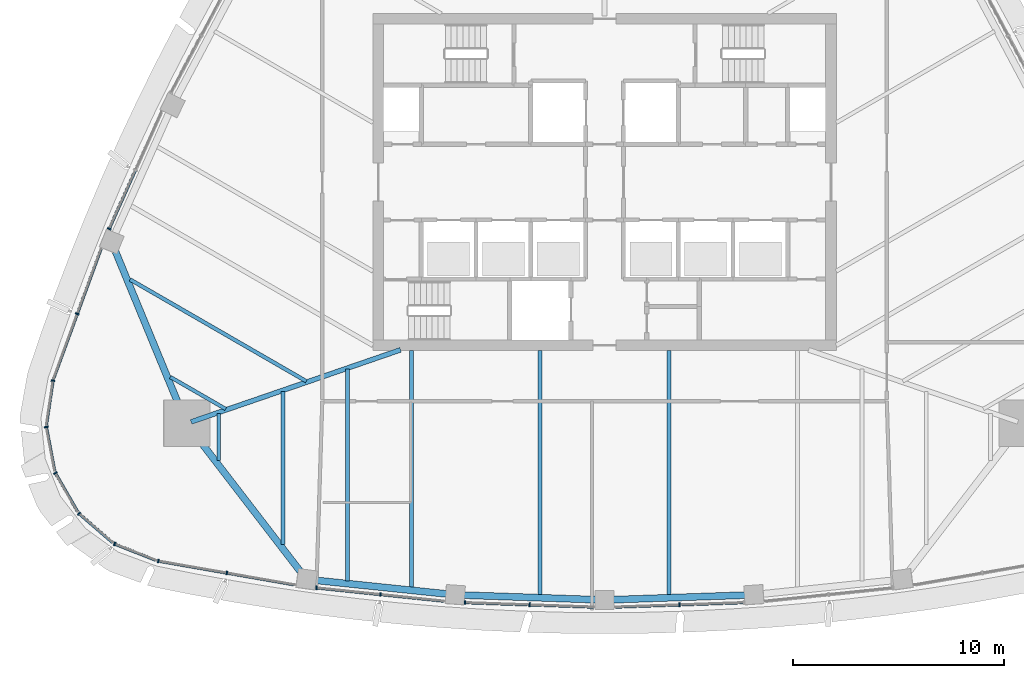
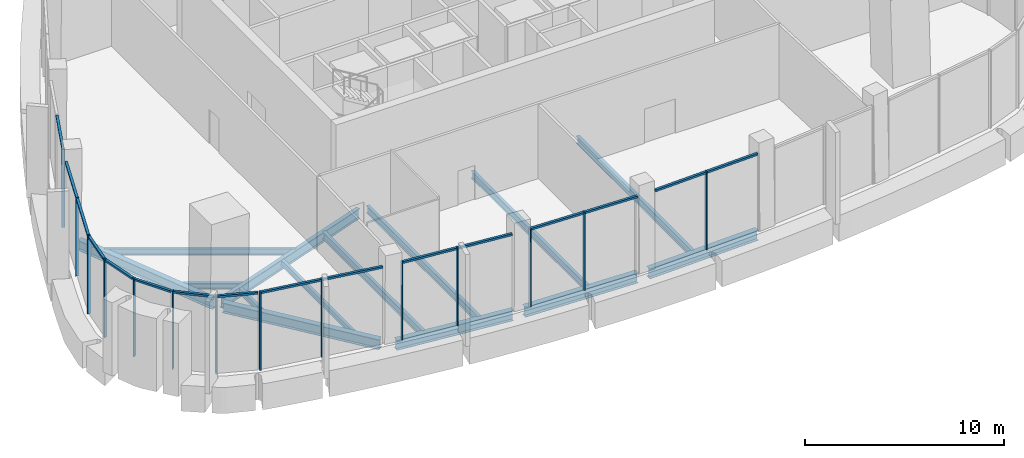
# One storey, part 2 of 19: 30 members, 14 beams, 11 elements without a shape of their own.
"""IFC4 building model written with IfcOpenShell, lengths in metres."""

from ifc_helpers import new_model, si_unit, direction, frame, origin, origin_2d, place, context, subcontext, project, spatial, rectangle, i_section, extrude, material, layer, layer_set, material_profile, profile_set, type_object, element, aggregate, save


model = new_model("IFC4")

# Units and contexts
model_context = context("Model", 3, precision=1e-05, world=origin(), true_north=direction((0.0, 1.0)))
body_context = subcontext(model_context, "Body", "Model", "MODEL_VIEW")
ifc_project = project(units=[si_unit("LENGTHUNIT", "METRE"), si_unit("AREAUNIT", "SQUARE_METRE"), si_unit("VOLUMEUNIT", "CUBIC_METRE"), si_unit("PLANEANGLEUNIT", "RADIAN"), si_unit("MASSUNIT", "GRAM", prefix="KILO")], contexts=[model_context])

# Site, building, storey
site_placement = place(None, origin())
site = spatial("IfcSite", under=ifc_project, at=site_placement, CompositionType="ELEMENT")
building_placement = place(site_placement, origin())
building = spatial("IfcBuilding", under=site, at=building_placement, Name="Sierra Prisma Convention Tower", CompositionType="ELEMENT")
storey_placement = place(building_placement, frame((0.0, 0.0, 319.0)))
storey = spatial("IfcBuildingStorey", under=building, at=storey_placement, Name="L73", CompositionType="ELEMENT", Elevation=319.0)

# Curtain wall, members
ifc_material_1 = material(Name="Aluminium and glass curtain wall", Category="aluminium")
ifc_layer = layer(ifc_material_1, 0.179931640625)
ifc_layer_set = layer_set([ifc_layer], Name="CW-1 Plain shaft curtain wall")
curtain_wall_type = type_object("IfcCurtainWallType", Name="CW-1 Plain shaft curtain wall", PredefinedType="NOTDEFINED", material=ifc_layer_set)
curtain_wall_1_placement = place(storey_placement, origin())
curtain_wall_1 = element("IfcCurtainWall", 1, at=curtain_wall_1_placement, inside=storey, type_object=curtain_wall_type, Name="CW-1 S1 L73", PredefinedType="NOTDEFINED")
ifc_material_2 = material(Name="Aluminium 6063-T6 bronze anodised", Category="aluminium")
ifc_material_profile_1 = material_profile(ifc_material_2, rectangle(XDim=0.179931640625, YDim=0.070068359375, at=origin_2d()), Name="ALU MULLION 70x180")
ifc_profile_set_1 = profile_set([ifc_material_profile_1], Name="Aluminium 6063-T6 bronze anodised")
member_type_1 = type_object("IfcMemberType", Name="CW mullion bronze", PredefinedType="MULLION", material=ifc_profile_set_1)
member_1_placement = place(storey_placement, frame((-21.183349609375, -17.985595703125, 0.0), z_axis=(0.0, 0.0, 1.0), x_axis=(0.171929290112, 0.985109293024, 0.0)))
member_1 = element("IfcMember", 2, at=member_1_placement, type_object=member_type_1, Name="CW-1 mullion S1.1", PredefinedType="MULLION", context=body_context, shape_type="SweptSolid", body=[
    extrude(rectangle(XDim=0.179931640625, YDim=0.070068359375, at=origin_2d()), origin(), (0.0, 0.0, 1.0), 4.800048828125),
])
member_2_placement = place(storey_placement, frame((-17.931396484375, -18.552978515625, 0.0), z_axis=(0.0, 0.0, 1.0), x_axis=(0.171929290112, 0.985109293024, 0.0)))
member_2 = element("IfcMember", 3, at=member_2_placement, type_object=member_type_1, Name="CW-1 mullion S1.2", PredefinedType="MULLION", context=body_context, shape_type="SweptSolid", body=[
    extrude(rectangle(XDim=0.179931640625, YDim=0.070068359375, at=origin_2d()), origin(), (0.0, 0.0, 1.0), 4.800048828125),
])

curtain_wall_2_placement = place(storey_placement, origin())
curtain_wall_2 = element("IfcCurtainWall", 4, at=curtain_wall_2_placement, inside=storey, type_object=curtain_wall_type, Name="CW-1 S2 L73", PredefinedType="NOTDEFINED")
member_3_placement = place(storey_placement, frame((-13.676025390625, -19.2587890625, 0.0), z_axis=(0.0, 0.0, 1.0), x_axis=(0.10348706024, 0.994630800027, 0.0)))
member_3 = element("IfcMember", 5, at=member_3_placement, type_object=member_type_1, Name="CW-1 mullion S2.1", PredefinedType="MULLION", context=body_context, shape_type="SweptSolid", body=[
    extrude(rectangle(XDim=0.179931640625, YDim=0.070068359375, at=origin_2d()), origin(), (0.0, 0.0, 1.0), 4.800048828125),
])
member_4_placement = place(storey_placement, frame((-10.63818359375, -19.57470703125, 0.0), z_axis=(0.0, 0.0, 1.0), x_axis=(0.10348706024, 0.994630800027, 0.0)))
member_4 = element("IfcMember", 6, at=member_4_placement, type_object=member_type_1, Name="CW-1 mullion S2.2", PredefinedType="MULLION", context=body_context, shape_type="SweptSolid", body=[
    extrude(rectangle(XDim=0.179931640625, YDim=0.070068359375, at=origin_2d()), origin(), (0.0, 0.0, 1.0), 4.800048828125),
])

curtain_wall_3_placement = place(storey_placement, origin())
curtain_wall_3 = element("IfcCurtainWall", 7, at=curtain_wall_3_placement, inside=storey, type_object=curtain_wall_type, Name="CW-1 S3 L73", PredefinedType="NOTDEFINED")
member_5_placement = place(storey_placement, frame((-6.62109375, -19.958251953125, 0.0), z_axis=(0.0, 0.0, 1.0), x_axis=(0.034550679888, 0.999402947023, 0.0)))
member_5 = element("IfcMember", 8, at=member_5_placement, type_object=member_type_1, Name="CW-1 mullion S3.1", PredefinedType="MULLION", context=body_context, shape_type="SweptSolid", body=[
    extrude(rectangle(XDim=0.179931640625, YDim=0.070068359375, at=origin_2d()), origin(), (0.0, 0.0, 1.0), 4.800048828125),
])
member_6_placement = place(storey_placement, frame((-3.552978515625, -20.064208984375, 0.0), z_axis=(0.0, 0.0, 1.0), x_axis=(0.034550679888, 0.999402947023, 0.0)))
member_6 = element("IfcMember", 9, at=member_6_placement, type_object=member_type_1, Name="CW-1 mullion S3.2", PredefinedType="MULLION", context=body_context, shape_type="SweptSolid", body=[
    extrude(rectangle(XDim=0.179931640625, YDim=0.070068359375, at=origin_2d()), origin(), (0.0, 0.0, 1.0), 4.800048828125),
])

# Curtain wall, member
curtain_wall_4_placement = place(storey_placement, origin())
curtain_wall_4 = element("IfcCurtainWall", 10, at=curtain_wall_4_placement, inside=storey, type_object=curtain_wall_type, Name="CW-1 S4 L73", PredefinedType="NOTDEFINED")
member_7_placement = place(storey_placement, frame((3.552978515625, -20.064208984375, 0.0), z_axis=(0.0, 0.0, 1.0), x_axis=(-0.034550679888, 0.999402947023, 0.0)))
member_7 = element("IfcMember", 11, at=member_7_placement, type_object=member_type_1, Name="CW-1 mullion S4.2", PredefinedType="MULLION", context=body_context, shape_type="SweptSolid", body=[
    extrude(rectangle(XDim=0.179931640625, YDim=0.070068359375, at=origin_2d()), origin(), (0.0, 0.0, 1.0), 4.800048828125),
])

curtain_wall_5_placement = place(storey_placement, origin())
curtain_wall_5 = element("IfcCurtainWall", 12, at=curtain_wall_5_placement, inside=storey, type_object=curtain_wall_type, Name="CW-1 NW5 L73", PredefinedType="NOTDEFINED")
member_8_placement = place(storey_placement, frame((-23.5166015625, -2.21435546875, 0.0), z_axis=(0.0, 0.0, 1.0), x_axis=(0.91311907033, -0.407692976883, 0.0)))
member_8 = element("IfcMember", 13, at=member_8_placement, type_object=member_type_1, Name="CW-1 mullion NW5.3", PredefinedType="MULLION", context=body_context, shape_type="SweptSolid", body=[
    extrude(rectangle(XDim=0.179931640625, YDim=0.070068359375, at=origin_2d()), origin(), (0.0, 0.0, 1.0), 4.800048828125),
])

curtain_wall_6_placement = place(storey_placement, origin())
curtain_wall_6 = element("IfcCurtainWall", 14, at=curtain_wall_6_placement, inside=storey, type_object=curtain_wall_type, Name="CW-1 NW6 L73", PredefinedType="NOTDEFINED")
member_9_placement = place(storey_placement, frame((-25.033203125, -6.25244140625, 0.0), z_axis=(0.0, 0.0, 1.0), x_axis=(0.939094318319, -0.34365951362, 0.0)))
member_9 = element("IfcMember", 15, at=member_9_placement, type_object=member_type_1, Name="CW-1 mullion NW6.2", PredefinedType="MULLION", context=body_context, shape_type="SweptSolid", body=[
    extrude(rectangle(XDim=0.179931640625, YDim=0.070068359375, at=origin_2d()), origin(), (0.0, 0.0, 1.0), 4.800048828125),
])

curtain_wall_7_placement = place(storey_placement, origin())
curtain_wall_7 = element("IfcCurtainWall", 16, at=curtain_wall_7_placement, inside=storey, type_object=curtain_wall_type, Name="CW-1 SW1 L73", PredefinedType="NOTDEFINED")
member_10_placement = place(storey_placement, frame((-26.184814453125, -9.419921875, 0.0), z_axis=(0.0, 0.0, 1.0), x_axis=(0.989026207325, -0.147740181479, 0.0)))
member_10 = element("IfcMember", 17, at=member_10_placement, type_object=member_type_1, Name="CW-1 mullion SW1.1", PredefinedType="MULLION", context=body_context, shape_type="SweptSolid", body=[
    extrude(rectangle(XDim=0.179931640625, YDim=0.070068359375, at=origin_2d()), origin(), (0.0, 0.0, 1.0), 4.800048828125),
])

curtain_wall_8_placement = place(storey_placement, origin())
curtain_wall_8 = element("IfcCurtainWall", 18, at=curtain_wall_8_placement, inside=storey, type_object=curtain_wall_type, Name="CW-1 SW2 L73", PredefinedType="NOTDEFINED")
member_11_placement = place(storey_placement, frame((-26.502197265625, -11.62353515625, 0.0), z_axis=(0.0, 0.0, 1.0), x_axis=(0.982443868953, 0.186558420762, 0.0)))
member_11 = element("IfcMember", 19, at=member_11_placement, type_object=member_type_1, Name="CW-1 mullion SW2.1", PredefinedType="MULLION", context=body_context, shape_type="SweptSolid", body=[
    extrude(rectangle(XDim=0.179931640625, YDim=0.070068359375, at=origin_2d()), origin(), (0.0, 0.0, 1.0), 4.800048828125),
])

curtain_wall_9_placement = place(storey_placement, origin())
curtain_wall_9 = element("IfcCurtainWall", 20, at=curtain_wall_9_placement, inside=storey, type_object=curtain_wall_type, Name="CW-1 SW3 L73", PredefinedType="NOTDEFINED")
member_12_placement = place(storey_placement, frame((-26.07568359375, -13.80859375, 0.0), z_axis=(0.0, 0.0, 1.0), x_axis=(0.866025403784, 0.5, 0.0)))
member_12 = element("IfcMember", 21, at=member_12_placement, type_object=member_type_1, Name="CW-1 mullion SW3.1", PredefinedType="MULLION", context=body_context, shape_type="SweptSolid", body=[
    extrude(rectangle(XDim=0.179931640625, YDim=0.070068359375, at=origin_2d()), origin(), (0.0, 0.0, 1.0), 4.800048828125),
])

curtain_wall_10_placement = place(storey_placement, origin())
curtain_wall_10 = element("IfcCurtainWall", 22, at=curtain_wall_10_placement, inside=storey, type_object=curtain_wall_type, Name="CW-1 SW4 L73", PredefinedType="NOTDEFINED")
member_13_placement = place(storey_placement, frame((-24.952392578125, -15.73095703125, 0.0), z_axis=(0.0, 0.0, 1.0), x_axis=(0.652786266146, 0.757542137924, 0.0)))
member_13 = element("IfcMember", 23, at=member_13_placement, type_object=member_type_1, Name="CW-1 mullion SW4.1", PredefinedType="MULLION", context=body_context, shape_type="SweptSolid", body=[
    extrude(rectangle(XDim=0.179931640625, YDim=0.070068359375, at=origin_2d()), origin(), (0.0, 0.0, 1.0), 4.800048828125),
])

curtain_wall_11_placement = place(storey_placement, origin())
curtain_wall_11 = element("IfcCurtainWall", 24, at=curtain_wall_11_placement, inside=storey, type_object=curtain_wall_type, Name="CW-1 SW5 L73", PredefinedType="NOTDEFINED")
member_14_placement = place(storey_placement, frame((-23.25830078125, -17.175537109375, 0.0), z_axis=(0.0, 0.0, 1.0), x_axis=(0.366566353342, 0.930391911292, 0.0)))
member_14 = element("IfcMember", 25, at=member_14_placement, type_object=member_type_1, Name="CW-1 mullion SW5.1", PredefinedType="MULLION", context=body_context, shape_type="SweptSolid", body=[
    extrude(rectangle(XDim=0.179931640625, YDim=0.070068359375, at=origin_2d()), origin(), (0.0, 0.0, 1.0), 4.800048828125),
])

# Member
ifc_material_3 = material(Name="Aluminium 6063-T6 bronze anodised", Category="aluminium")
ifc_material_profile_2 = material_profile(ifc_material_3, rectangle(XDim=0.139892578125, YDim=0.1201171875, at=origin_2d()), Name="ALU TRANSOM 120x140")
ifc_profile_set_2 = profile_set([ifc_material_profile_2], Name="Aluminium 6063-T6 bronze anodised")
member_type_2 = type_object("IfcMemberType", Name="CW transom bronze", PredefinedType="USERDEFINED", material=ifc_profile_set_2)
member_15_placement = place(storey_placement, frame((-21.148681640625, -17.991455078125, 4.739990234375), z_axis=(0.985100631825, -0.171978909107, 0.0), x_axis=(0.171978909107, 0.985100631825, 0.0)))
member_15 = element("IfcMember", 26, at=member_15_placement, type_object=member_type_2, Name="CW-1 transom S1.1", ObjectType="TRANSOM", PredefinedType="USERDEFINED", context=body_context, shape_type="SweptSolid", body=[
    extrude(rectangle(XDim=0.139892578125, YDim=0.1201171875, at=origin_2d()), origin(), (0.0, 0.0, 1.0), 3.23095703125),
])

member_16_placement = place(storey_placement, frame((-17.89697265625, -18.55908203125, 4.739990234375), z_axis=(0.985115663449, -0.17189278527, 0.0), x_axis=(0.17189278527, 0.985115663449, 0.0)))
member_16 = element("IfcMember", 27, at=member_16_placement, type_object=member_type_2, Name="CW-1 transom S1.2", ObjectType="TRANSOM", PredefinedType="USERDEFINED", context=body_context, shape_type="SweptSolid", body=[
    extrude(rectangle(XDim=0.139892578125, YDim=0.1201171875, at=origin_2d()), origin(), (0.0, 0.0, 1.0), 3.231201171875),
])

aggregate(curtain_wall_1, [member_1, member_2, member_15, member_16])

member_17_placement = place(storey_placement, frame((-13.64111328125, -19.262451171875, 4.739990234375), z_axis=(0.994630696032, -0.103488059753, 0.0), x_axis=(0.103488059753, 0.994630696032, 0.0)))
member_17 = element("IfcMember", 28, at=member_17_placement, type_object=member_type_2, Name="CW-1 transom S2.1", ObjectType="TRANSOM", PredefinedType="USERDEFINED", context=body_context, shape_type="SweptSolid", body=[
    extrude(rectangle(XDim=0.139892578125, YDim=0.1201171875, at=origin_2d()), origin(), (0.0, 0.0, 1.0), 2.984375),
])

member_18_placement = place(storey_placement, frame((-10.603271484375, -19.578369140625, 4.739990234375), z_axis=(0.994630696032, -0.103488059753, 0.0), x_axis=(0.103488059753, 0.994630696032, 0.0)))
member_18 = element("IfcMember", 29, at=member_18_placement, type_object=member_type_2, Name="CW-1 transom S2.2", ObjectType="TRANSOM", PredefinedType="USERDEFINED", context=body_context, shape_type="SweptSolid", body=[
    extrude(rectangle(XDim=0.139892578125, YDim=0.1201171875, at=origin_2d()), origin(), (0.0, 0.0, 1.0), 2.984375),
])

aggregate(curtain_wall_2, [member_3, member_4, member_17, member_18])

member_19_placement = place(storey_placement, frame((-6.586181640625, -19.95947265625, 4.739990234375), z_axis=(0.999404548741, -0.034504317944, 0.0), x_axis=(0.034504317944, 0.999404548741, 0.0)))
member_19 = element("IfcMember", 30, at=member_19_placement, type_object=member_type_2, Name="CW-1 transom S3.1", ObjectType="TRANSOM", PredefinedType="USERDEFINED", context=body_context, shape_type="SweptSolid", body=[
    extrude(rectangle(XDim=0.139892578125, YDim=0.1201171875, at=origin_2d()), origin(), (0.0, 0.0, 1.0), 3.0),
])

member_20_placement = place(storey_placement, frame((-3.51806640625, -20.0654296875, 4.739990234375), z_axis=(0.999401739219, -0.034585598825, 0.0), x_axis=(0.034585598825, 0.999401739219, 0.0)))
member_20 = element("IfcMember", 31, at=member_20_placement, type_object=member_type_2, Name="CW-1 transom S3.2", ObjectType="TRANSOM", PredefinedType="USERDEFINED", context=body_context, shape_type="SweptSolid", body=[
    extrude(rectangle(XDim=0.139892578125, YDim=0.1201171875, at=origin_2d()), origin(), (0.0, 0.0, 1.0), 3.0),
])

aggregate(curtain_wall_3, [member_5, member_6, member_19, member_20])

member_21_placement = place(storey_placement, frame((0.519775390625, -20.169189453125, 4.739990234375), z_axis=(0.999401739219, 0.034585598825, 0.0), x_axis=(-0.034585598825, 0.999401739219, 0.0)))
member_21 = element("IfcMember", 32, at=member_21_placement, type_object=member_type_2, Name="CW-1 transom S4.1", ObjectType="TRANSOM", PredefinedType="USERDEFINED", context=body_context, shape_type="SweptSolid", body=[
    extrude(rectangle(XDim=0.139892578125, YDim=0.1201171875, at=origin_2d()), origin(), (0.0, 0.0, 1.0), 3.0),
])

member_22_placement = place(storey_placement, frame((3.587890625, -20.06298828125, 4.739990234375), z_axis=(0.999404548741, 0.034504317944, 0.0), x_axis=(-0.034504317944, 0.999404548741, 0.0)))
member_22 = element("IfcMember", 33, at=member_22_placement, type_object=member_type_2, Name="CW-1 transom S4.2", ObjectType="TRANSOM", PredefinedType="USERDEFINED", context=body_context, shape_type="SweptSolid", body=[
    extrude(rectangle(XDim=0.139892578125, YDim=0.1201171875, at=origin_2d()), origin(), (0.0, 0.0, 1.0), 3.0),
])

aggregate(curtain_wall_4, [member_7, member_21, member_22])

member_23_placement = place(storey_placement, frame((-22.28564453125, 0.54248046875, 4.739990234375), z_axis=(-0.407678858356, -0.913125373894, 0.0), x_axis=(0.913125373894, -0.407678858356, 0.0)))
member_23 = element("IfcMember", 34, at=member_23_placement, type_object=member_type_2, Name="CW-1 transom NW5.2", ObjectType="TRANSOM", PredefinedType="USERDEFINED", context=body_context, shape_type="SweptSolid", body=[
    extrude(rectangle(XDim=0.139892578125, YDim=0.1201171875, at=origin_2d()), origin(), (0.0, 0.0, 1.0), 2.984130859375),
])

aggregate(curtain_wall_5, [member_8, member_23])

member_24_placement = place(storey_placement, frame((-23.91064453125, -3.185302734375, 4.739990234375), z_axis=(-0.343635166168, -0.939103227858, 0.0), x_axis=(0.939103227858, -0.343635166168, 0.0)))
member_24 = element("IfcMember", 35, at=member_24_placement, type_object=member_type_2, Name="CW-1 transom NW6.1", ObjectType="TRANSOM", PredefinedType="USERDEFINED", context=body_context, shape_type="SweptSolid", body=[
    extrude(rectangle(XDim=0.139892578125, YDim=0.1201171875, at=origin_2d()), origin(), (0.0, 0.0, 1.0), 3.231201171875),
])

member_25_placement = place(storey_placement, frame((-25.045166015625, -6.285400390625, 4.739990234375), z_axis=(-0.343659550835, -0.9390943047, 0.0), x_axis=(0.9390943047, -0.343659550835, 0.0)))
member_25 = element("IfcMember", 36, at=member_25_placement, type_object=member_type_2, Name="CW-1 transom NW6.2", ObjectType="TRANSOM", PredefinedType="USERDEFINED", context=body_context, shape_type="SweptSolid", body=[
    extrude(rectangle(XDim=0.139892578125, YDim=0.1201171875, at=origin_2d()), origin(), (0.0, 0.0, 1.0), 3.23095703125),
])

aggregate(curtain_wall_6, [member_9, member_24, member_25])

member_26_placement = place(storey_placement, frame((-26.18994140625, -9.45458984375, 4.739990234375), z_axis=(-0.147768762296, -0.989021937517, 0.0), x_axis=(0.989021937517, -0.147768762296, 0.0)))
member_26 = element("IfcMember", 37, at=member_26_placement, type_object=member_type_2, Name="CW-1 transom SW1.1", ObjectType="TRANSOM", PredefinedType="USERDEFINED", context=body_context, shape_type="SweptSolid", body=[
    extrude(rectangle(XDim=0.139892578125, YDim=0.1201171875, at=origin_2d()), origin(), (0.0, 0.0, 1.0), 2.08837890625),
])

aggregate(curtain_wall_7, [member_10, member_26])

member_27_placement = place(storey_placement, frame((-26.495849609375, -11.657958984375, 4.739990234375), z_axis=(0.186596325816, -0.982436670321, 0.0), x_axis=(0.982436670321, 0.186596325816, 0.0)))
member_27 = element("IfcMember", 38, at=member_27_placement, type_object=member_type_2, Name="CW-1 transom SW2.1", ObjectType="TRANSOM", PredefinedType="USERDEFINED", context=body_context, shape_type="SweptSolid", body=[
    extrude(rectangle(XDim=0.139892578125, YDim=0.1201171875, at=origin_2d()), origin(), (0.0, 0.0, 1.0), 2.088134765625),
])

aggregate(curtain_wall_8, [member_11, member_27])

member_28_placement = place(storey_placement, frame((-26.05810546875, -13.8388671875, 4.739990234375), z_axis=(0.499999053588, -0.866025950195, 0.0), x_axis=(0.866025950195, 0.499999053588, 0.0)))
member_28 = element("IfcMember", 39, at=member_28_placement, type_object=member_type_2, Name="CW-1 transom SW3.1", ObjectType="TRANSOM", PredefinedType="USERDEFINED", context=body_context, shape_type="SweptSolid", body=[
    extrude(rectangle(XDim=0.139892578125, YDim=0.1201171875, at=origin_2d()), origin(), (0.0, 0.0, 1.0), 2.08837890625),
])

aggregate(curtain_wall_9, [member_12, member_28])

member_29_placement = place(storey_placement, frame((-24.926025390625, -15.75390625, 4.739990234375), z_axis=(0.7575953488, -0.652724511165, 0.0), x_axis=(0.652724511165, 0.7575953488, 0.0)))
member_29 = element("IfcMember", 40, at=member_29_placement, type_object=member_type_2, Name="CW-1 transom SW4.1", ObjectType="TRANSOM", PredefinedType="USERDEFINED", context=body_context, shape_type="SweptSolid", body=[
    extrude(rectangle(XDim=0.139892578125, YDim=0.1201171875, at=origin_2d()), origin(), (0.0, 0.0, 1.0), 2.088134765625),
])

aggregate(curtain_wall_10, [member_13, member_29])

member_30_placement = place(storey_placement, frame((-23.225830078125, -17.1884765625, 4.739990234375), z_axis=(0.930407184632, -0.3665275853, 0.0), x_axis=(0.3665275853, 0.930407184632, 0.0)))
member_30 = element("IfcMember", 41, at=member_30_placement, type_object=member_type_2, Name="CW-1 transom SW5.1", ObjectType="TRANSOM", PredefinedType="USERDEFINED", context=body_context, shape_type="SweptSolid", body=[
    extrude(rectangle(XDim=0.139892578125, YDim=0.1201171875, at=origin_2d()), origin(), (0.0, 0.0, 1.0), 2.088134765625),
])

aggregate(curtain_wall_11, [member_14, member_30])

# Beams
ifc_material_4 = material(Name="Steel ASTM A992 Gr 50", Category="steel")
ifc_material_profile_3 = material_profile(ifc_material_4, i_section(OverallWidth=0.172119140625, OverallDepth=0.35791015625, WebThickness=0.0078125, FlangeThickness=0.01318359375, at=origin_2d()), Name="W360x57")
ifc_profile_set_3 = profile_set([ifc_material_profile_3], Name="Steel ASTM A992 Gr 50")
beam_type_1 = type_object("IfcBeamType", Name="Floor joist W360x57", PredefinedType="JOIST", material=ifc_profile_set_3)
beam_1_placement = place(storey_placement, frame((-18.319091796875, -13.225830078125, -0.3291015625), z_axis=(0.0, 1.0, 0.0), x_axis=(-1.0, 0.0, 0.0)))
element("IfcBeam", 42, at=beam_1_placement, inside=storey, type_object=beam_type_1, Name="Floor joist L73 S01", PredefinedType="JOIST", context=body_context, shape_type="SweptSolid", body=[
    extrude(i_section(OverallWidth=0.172119140625, OverallDepth=0.35791015625, WebThickness=0.0078125, FlangeThickness=0.01318359375, at=origin_2d()), origin(), (0.0, 0.0, 1.0), 2.24462890625),
])
beam_2_placement = place(storey_placement, frame((-15.26611328125, -17.19482421875, -0.3291015625), z_axis=(0.0, 1.0, 0.0), x_axis=(-1.0, 0.0, 0.0)))
element("IfcBeam", 43, at=beam_2_placement, inside=storey, type_object=beam_type_1, Name="Floor joist L73 S02", PredefinedType="JOIST", context=body_context, shape_type="SweptSolid", body=[
    extrude(i_section(OverallWidth=0.172119140625, OverallDepth=0.35791015625, WebThickness=0.0078125, FlangeThickness=0.01318359375, at=origin_2d()), origin(), (0.0, 0.0, 1.0), 7.2646484375),
])
beam_3_placement = place(storey_placement, frame((-20.613525390625, -9.251953125, -0.3291015625), z_axis=(0.866026133621, -0.499998735884, 0.0), x_axis=(0.499998735884, 0.866026133621, 0.0)))
element("IfcBeam", 44, at=beam_3_placement, inside=storey, type_object=beam_type_1, Name="Floor joist L73 NW13", PredefinedType="JOIST", context=body_context, shape_type="SweptSolid", body=[
    extrude(i_section(OverallWidth=0.172119140625, OverallDepth=0.35791015625, WebThickness=0.0078125, FlangeThickness=0.01318359375, at=origin_2d()), origin(), (0.0, 0.0, 1.0), 3.0341796875),
])
ifc_material_5 = material(Name="Steel ASTM A992 Gr 50", Category="steel")
ifc_material_profile_4 = material_profile(ifc_material_5, i_section(OverallWidth=0.177978515625, OverallDepth=0.406982421875, WebThickness=0.0078125, FlangeThickness=0.0126953125, at=origin_2d()), Name="W410x60")
ifc_profile_set_4 = profile_set([ifc_material_profile_4], Name="Steel ASTM A992 Gr 50")
beam_type_2 = type_object("IfcBeamType", Name="Floor joist W410x60", PredefinedType="JOIST", material=ifc_profile_set_4)
beam_4_placement = place(storey_placement, frame((-22.524169921875, -4.623291015625, -0.353515625), z_axis=(0.866030251462, -0.499991603482, 0.0), x_axis=(0.499991603482, 0.866030251462, 0.0)))
element("IfcBeam", 45, at=beam_4_placement, inside=storey, type_object=beam_type_2, Name="Floor joist L73 NW12", PredefinedType="JOIST", context=body_context, shape_type="SweptSolid", body=[
    extrude(i_section(OverallWidth=0.177978515625, OverallDepth=0.406982421875, WebThickness=0.0078125, FlangeThickness=0.0126953125, at=origin_2d()), origin(), (0.0, 0.0, 1.0), 9.657958984375),
])
ifc_material_6 = material(Name="Steel ASTM A992 Gr 50", Category="steel")
ifc_material_profile_5 = material_profile(ifc_material_6, i_section(OverallWidth=0.18994140625, OverallDepth=0.45703125, WebThickness=0.009033203125, FlangeThickness=0.014404296875, at=origin_2d()), Name="W460x74")
ifc_profile_set_5 = profile_set([ifc_material_profile_5], Name="Steel ASTM A992 Gr 50")
beam_type_3 = type_object("IfcBeamType", Name="Floor joist W460x74", PredefinedType="JOIST", material=ifc_profile_set_5)
beam_5_placement = place(storey_placement, frame((-12.212890625, -18.946044921875, -0.37841796875), z_axis=(0.0, 1.0, 0.0), x_axis=(-1.0, 0.0, 0.0)))
element("IfcBeam", 46, at=beam_5_placement, inside=storey, type_object=beam_type_3, Name="Floor joist L73 S03", PredefinedType="JOIST", context=body_context, shape_type="SweptSolid", body=[
    extrude(i_section(OverallWidth=0.18994140625, OverallDepth=0.45703125, WebThickness=0.009033203125, FlangeThickness=0.014404296875, at=origin_2d()), origin(), (0.0, 0.0, 1.0), 10.06689453125),
])
beam_6_placement = place(storey_placement, frame((-9.15966796875, -19.263671875, -0.37841796875), z_axis=(0.0, 1.0, 0.0), x_axis=(-1.0, 0.0, 0.0)))
element("IfcBeam", 47, at=beam_6_placement, inside=storey, type_object=beam_type_3, Name="Floor joist L73 S04", PredefinedType="JOIST", context=body_context, shape_type="SweptSolid", body=[
    extrude(i_section(OverallWidth=0.18994140625, OverallDepth=0.45703125, WebThickness=0.009033203125, FlangeThickness=0.014404296875, at=origin_2d()), origin(), (0.0, 0.0, 1.0), 11.263671875),
])
for number, where, z_axis, x_axis, name in (
    (48, (-3.05322265625, -19.618896484375, -0.37841796875), (0.0, 1.0, 0.0), (-1.0, 0.0, 0.0), "Floor joist L73 S06"),
    (49, (3.05322265625, -19.618896484375, -0.37841796875), (0.0, 1.0, 0.0), (-1.0, 0.0, 0.0), "Floor joist L73 S08"),
):
    element("IfcBeam", number, at=place(storey_placement, frame(where, z_axis=z_axis, x_axis=x_axis)), inside=storey, type_object=beam_type_3, Name=name, PredefinedType="JOIST", context=body_context, shape_type="SweptSolid", body=[
        extrude(i_section(OverallWidth=0.18994140625, OverallDepth=0.45703125, WebThickness=0.009033203125, FlangeThickness=0.014404296875, at=origin_2d()), origin(), (0.0, 0.0, 1.0), 11.618896484375),
    ])
ifc_material_7 = material(Name="Steel ASTM A992 Gr 50", Category="steel")
ifc_material_profile_6 = material_profile(ifc_material_7, i_section(OverallWidth=0.22998046875, OverallDepth=0.616943359375, WebThickness=0.01318359375, FlangeThickness=0.022216796875, at=origin_2d()), Name="W610x140")
ifc_profile_set_6 = profile_set([ifc_material_profile_6], Name="Steel ASTM A992 Gr 50")
beam_type_4 = type_object("IfcBeamType", Name="Radial girder W610x140", PredefinedType="BEAM", material=ifc_profile_set_6)
beam_7_placement = place(storey_placement, frame((-19.625732421875, -11.38232421875, -0.45849609375), z_axis=(0.945546609088, 0.325486727905, 0.0), x_axis=(-0.325486727905, 0.945546609088, 0.0)))
element("IfcBeam", 50, at=beam_7_placement, inside=storey, type_object=beam_type_4, Name="Radial girder L73 SW", PredefinedType="BEAM", context=body_context, shape_type="SweptSolid", body=[
    extrude(i_section(OverallWidth=0.22998046875, OverallDepth=0.616943359375, WebThickness=0.01318359375, FlangeThickness=0.022216796875, at=origin_2d()), origin(), (0.0, 0.0, 1.0), 10.51171875),
])
ifc_material_8 = material(Name="Steel ASTM A992 Gr 50", Category="steel")
ifc_material_profile_7 = material_profile(ifc_material_8, i_section(OverallWidth=0.324951171875, OverallDepth=0.615966796875, WebThickness=0.013916015625, FlangeThickness=0.021484375, at=origin_2d()), Name="W610x174")
ifc_profile_set_7 = profile_set([ifc_material_profile_7], Name="Steel ASTM A992 Gr 50")
beam_type_5 = type_object("IfcBeamType", Name="Spandrel beam W610x174", PredefinedType="BEAM", material=ifc_profile_set_7)
beam_8_placement = place(storey_placement, frame((-19.676513671875, -11.677978515625, -0.4580078125), z_axis=(0.609735608389, -0.792604874993, 0.0), x_axis=(0.792604874993, 0.609735608389, 0.0)))
element("IfcBeam", 51, at=beam_8_placement, inside=storey, type_object=beam_type_5, Name="Spandrel L73-01", PredefinedType="BEAM", context=body_context, shape_type="SweptSolid", body=[
    extrude(i_section(OverallWidth=0.324951171875, OverallDepth=0.615966796875, WebThickness=0.013916015625, FlangeThickness=0.021484375, at=origin_2d()), origin(), (0.0, 0.0, 1.0), 8.547119140625),
])
for number, where, z_axis, x_axis, name in (
    (52, (-13.824951171875, -18.8916015625, -0.4580078125), (0.994633542401, -0.103460699446, 0.0), (0.103460699446, 0.994633542401, 0.0), "Spandrel L73-02"),
    (53, (-6.763671875, -19.603271484375, -0.4580078125), (0.999402977727, -0.034549791769, 0.0), (0.034549791769, 0.999402977727, 0.0), "Spandrel L73-03"),
    (54, (0.330078125, -19.82568359375, -0.4580078125), (0.999402977727, 0.034549791769, 0.0), (-0.034549791769, 0.999402977727, 0.0), "Spandrel L73-04"),
):
    element("IfcBeam", number, at=place(storey_placement, frame(where, z_axis=z_axis, x_axis=x_axis)), inside=storey, type_object=beam_type_5, Name=name, PredefinedType="BEAM", context=body_context, shape_type="SweptSolid", body=[
        extrude(i_section(OverallWidth=0.324951171875, OverallDepth=0.615966796875, WebThickness=0.013916015625, FlangeThickness=0.021484375, at=origin_2d()), origin(), (0.0, 0.0, 1.0), 6.4375),
    ])
beam_9_placement = place(storey_placement, frame((-23.212646484375, -3.301025390625, -0.4580078125), z_axis=(0.381540486343, -0.924352128402, 0.0), x_axis=(0.924352128402, 0.381540486343, 0.0)))
element("IfcBeam", 55, at=beam_9_placement, inside=storey, type_object=beam_type_5, Name="Spandrel L73-18", PredefinedType="BEAM", context=body_context, shape_type="SweptSolid", body=[
    extrude(i_section(OverallWidth=0.324951171875, OverallDepth=0.615966796875, WebThickness=0.013916015625, FlangeThickness=0.021484375, at=origin_2d()), origin(), (0.0, 0.0, 1.0), 8.586669921875),
])

save(model, "model.ifc")
